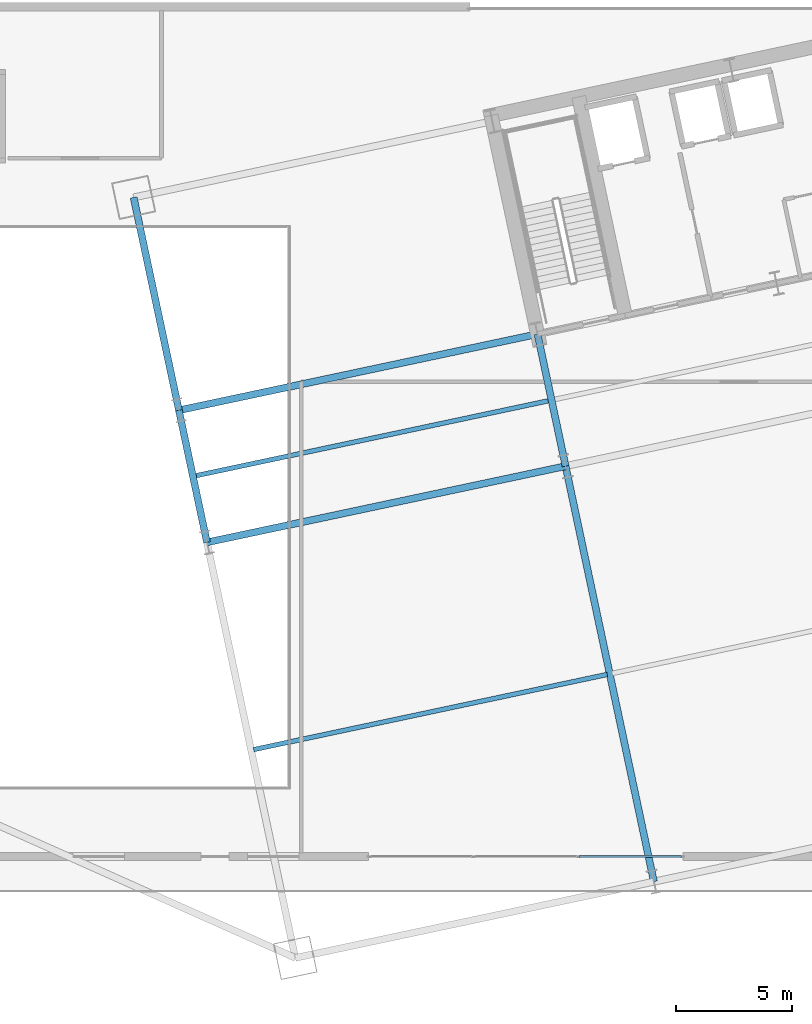
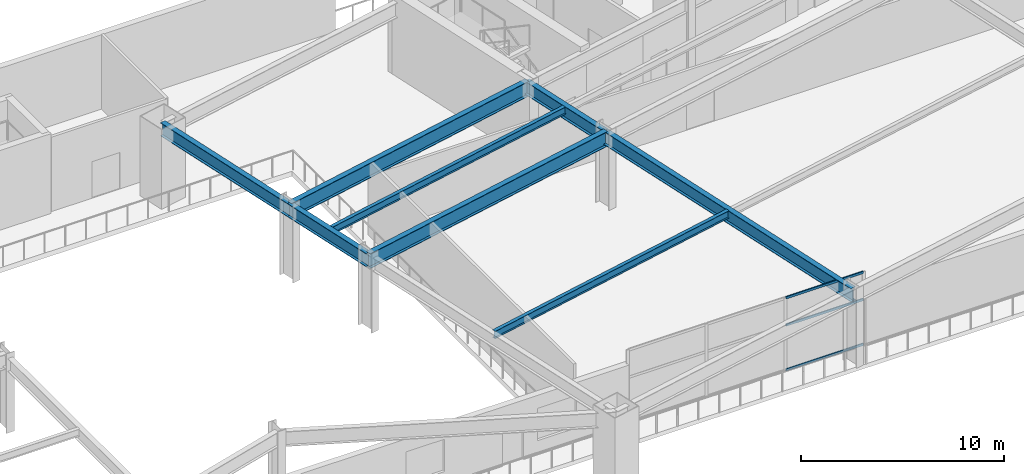
# One storey, part 9 of 28: 8 beams, 3 members, 1 element without a shape of its own.
"""IFC4 building model written with IfcOpenShell, lengths in metres."""

import ifcopenshell
import ifcopenshell.guid

model = None  # the IFC model being written
_history = None  # IfcOwnerHistory: only IFC2X3 demands one
_inside = {}  # id of a spatial element -> (the spatial element, [elements in it])
_under = {}  # id of a project, library or spatial element -> (it, [spatial elements below it])
_declared = {}  # id of a project -> (the project, [libraries it declares])
_typed = {}  # id of a type object -> (the type object, [elements of that type])
_made_of = {}  # id of a material, layer set ... -> (it, [elements and type objects made of it])


def new_model(schema):
    """Start an empty IFC model of exactly this schema.

    Asked for "IFC4X3", IfcOpenShell would pick the latest addendum, in which some entities
    have other attributes; the version numbers below select the first issue.
    IFC2X3 requires an IfcOwnerHistory on every rooted entity: one is made here for all.
    """
    global model, _history
    if schema == "IFC4X3":
        model = ifcopenshell.file(schema_version=(4, 3, 0, 0))
    else:
        model = ifcopenshell.file(schema=schema)
    _inside.clear()
    _under.clear()
    _declared.clear()
    _typed.clear()
    _made_of.clear()
    _history = None
    if model.schema == "IFC2X3":
        org = make("IfcOrganization", Name="unknown")
        user = make(
            "IfcPersonAndOrganization",
            ThePerson=make("IfcPerson", FamilyName="unknown"),
            TheOrganization=org,
        )
        app = make(
            "IfcApplication",
            ApplicationDeveloper=org,
            Version="unknown",
            ApplicationFullName="unknown",
            ApplicationIdentifier="unknown",
        )
        _history = make(
            "IfcOwnerHistory",
            OwningUser=user,
            OwningApplication=app,
            ChangeAction="ADDED",
            CreationDate=0,
        )
    return model


def make(cls, **values):
    """One entity of the class cls with the attributes given. An attribute that is None is left unset."""
    return model.create_entity(
        cls, **{name: value for name, value in values.items() if value is not None}
    )


def rooted(cls, **values):
    """An entity with a GlobalId (a new one), such as an element, a storey or a relation."""
    return make(cls, GlobalId=ifcopenshell.guid.new(), OwnerHistory=_history, **values)


def si_unit(unit_type, name, prefix=None):
    """IfcSIUnit, for example si_unit("LENGTHUNIT", "METRE", prefix="MILLI")."""
    return make("IfcSIUnit", UnitType=unit_type, Prefix=prefix, Name=name)


def assignment(units):
    """IfcUnitAssignment: the units of a project."""
    return None if units is None else make("IfcUnitAssignment", Units=units)


def point(xyz):
    """IfcCartesianPoint."""
    return None if xyz is None else make("IfcCartesianPoint", Coordinates=xyz)


def direction(xyz):
    """IfcDirection."""
    return None if xyz is None else make("IfcDirection", DirectionRatios=xyz)


def frame(location, z_axis=None, x_axis=None):
    """IfcAxis2Placement3D, a coordinate frame: its origin and axes. An axis left out is left unset."""
    return make(
        "IfcAxis2Placement3D",
        Location=point(location),
        Axis=direction(z_axis),
        RefDirection=direction(x_axis),
    )


def frame_2d(location, x_axis=None):
    """IfcAxis2Placement2D, a coordinate frame in the plane: its origin and x axis."""
    return make(
        "IfcAxis2Placement2D", Location=point(location), RefDirection=direction(x_axis)
    )


def origin():
    """The frame at (0, 0, 0) with its axes left unset."""
    return frame((0.0, 0.0, 0.0))


def origin_2d():
    """The frame at (0, 0) in the plane with its x axis left unset."""
    return frame_2d((0.0, 0.0))


def place(relative_to, where):
    """IfcLocalPlacement: puts the frame where relative to a parent placement (None: the world)."""
    return make(
        "IfcLocalPlacement", PlacementRelTo=relative_to, RelativePlacement=where
    )


def context(
    kind, dimensions, precision=None, world=None, true_north=None, identifier=None
):
    """IfcGeometricRepresentationContext, for example the 3D "Model" context."""
    return make(
        "IfcGeometricRepresentationContext",
        ContextIdentifier=identifier,
        ContextType=kind,
        CoordinateSpaceDimension=dimensions,
        Precision=precision,
        WorldCoordinateSystem=world,
        TrueNorth=true_north,
    )


def subcontext(parent, identifier, kind, view, scale=None):
    """IfcGeometricRepresentationSubContext, for example "Body" below "Model"."""
    return make(
        "IfcGeometricRepresentationSubContext",
        ContextIdentifier=identifier,
        ContextType=kind,
        ParentContext=parent,
        TargetScale=scale,
        TargetView=view,
    )


def project(units=None, contexts=None):
    """IfcProject with its units and contexts."""
    return rooted(
        "IfcProject",
        Name="project",
        RepresentationContexts=contexts,
        UnitsInContext=assignment(units),
    )


def spatial(cls, under=None, at=None, **own):
    """A site, building, storey or space (cls), placed at a placement, below another one or the project."""
    s = rooted(cls, ObjectPlacement=at, **own)
    if under is not None:
        _under.setdefault(under.id(), (under, []))[1].append(s)
    return s


def profile(cls, at=None, kind="AREA", **sizes):
    """A parametric profile (cls). Its sizes go by their IFC names, for example OverallWidth=200.0."""
    return make(cls, ProfileType=kind, Position=at, **sizes)


def hollow_rectangle(**sizes):
    """IfcRectangleHollowProfileDef."""
    return profile("IfcRectangleHollowProfileDef", **sizes)


def i_section(**sizes):
    """IfcIShapeProfileDef."""
    return profile("IfcIShapeProfileDef", **sizes)


def extrude(swept, where, along, depth):
    """IfcExtrudedAreaSolid: the profile swept, set in the frame where, extruded along a direction by depth."""
    return make(
        "IfcExtrudedAreaSolid",
        SweptArea=swept,
        Position=where,
        ExtrudedDirection=direction(along),
        Depth=depth,
    )


def shape(context_of_items, identifier, shape_type, items):
    """IfcShapeRepresentation: the items that make up one representation, for example the "Body"."""
    return make(
        "IfcShapeRepresentation",
        ContextOfItems=context_of_items,
        RepresentationIdentifier=identifier,
        RepresentationType=shape_type,
        Items=items,
    )


def material(Name=None, Category=None):
    """IfcMaterial."""
    return make("IfcMaterial", Name=Name, Category=Category)


def layer(
    of_material, thickness, ventilated=None, Name=None, Category=None, Priority=None
):
    """IfcMaterialLayer: one layer of a wall or slab, of a material (None: an air gap)."""
    return make(
        "IfcMaterialLayer",
        Material=of_material,
        LayerThickness=thickness,
        IsVentilated=ventilated,
        Name=Name,
        Category=Category,
        Priority=Priority,
    )


def layer_set(layers, Name=None):
    """IfcMaterialLayerSet."""
    return make("IfcMaterialLayerSet", MaterialLayers=layers, LayerSetName=Name)


def material_profile(
    of_material, cross_section, Name=None, Category=None, Priority=None
):
    """IfcMaterialProfile: a cross section and its material."""
    return make(
        "IfcMaterialProfile",
        Name=Name,
        Material=of_material,
        Profile=cross_section,
        Priority=Priority,
        Category=Category,
    )


def profile_set(profiles, Name=None, composite=None):
    """IfcMaterialProfileSet."""
    return make(
        "IfcMaterialProfileSet",
        Name=Name,
        MaterialProfiles=profiles,
        CompositeProfile=composite,
    )


def made_of(thing, what):
    """Note that an element or type object is made of a material, layer set ...; save() writes the relation."""
    if what is not None:
        _made_of.setdefault(what.id(), (what, []))[1].append(thing)
    return thing


def type_object(cls, material=None, **own):
    """A type object (cls), such as IfcWallType, which elements share."""
    return made_of(rooted(cls, **own), material)


def element(
    cls,
    number,
    at=None,
    inside=None,
    cuts=None,
    type_object=None,
    material=None,
    context=None,
    identifier="Body",
    shape_type=None,
    held_by="IfcProductDefinitionShape",
    body=None,
    shapes=None,
    **own,
):
    """One element of the class cls, such as IfcWall. Its Tag is "e" and its number.

    at: its placement. inside: the storey or other place that contains it. cuts: it is an
    opening in that element (IfcRelVoidsElement). A single representation is given by context,
    identifier, shape_type and body (its items); several are given by shapes. held_by: the class
    of the entity that holds the representations. save() writes the other relations.
    """
    e = rooted(cls, Tag="e%d" % number, ObjectPlacement=at, **own)
    if body is not None:
        shapes = [shape(context, identifier, shape_type, body)]
    if shapes is not None:
        e.Representation = make(held_by, Representations=shapes)
    if inside is not None:
        _inside.setdefault(inside.id(), (inside, []))[1].append(e)
    if cuts is not None:
        rooted(
            "IfcRelVoidsElement", RelatingBuildingElement=cuts, RelatedOpeningElement=e
        )
    if type_object is not None:
        _typed.setdefault(type_object.id(), (type_object, []))[1].append(e)
    return made_of(e, material)


def aggregate(whole, parts):
    """IfcRelAggregates: a whole, such as a stair, and the parts it consists of."""
    return rooted("IfcRelAggregates", RelatingObject=whole, RelatedObjects=parts)


def save(model, path):
    """Write the relations noted so far, then the file.

    IfcRelAggregates (storeys below a building ...), IfcRelContainedInSpatialStructure (elements
    in a storey), IfcRelDefinesByType, IfcRelAssociatesMaterial and IfcRelDeclares: one each for
    every whole, place, type object, material and project.
    """
    for whole, parts in _under.values():
        aggregate(whole, parts)
    for where, things in _inside.values():
        rooted(
            "IfcRelContainedInSpatialStructure",
            RelatedElements=things,
            RelatingStructure=where,
        )
    for kind, things in _typed.values():
        rooted("IfcRelDefinesByType", RelatedObjects=things, RelatingType=kind)
    for what, things in _made_of.values():
        rooted("IfcRelAssociatesMaterial", RelatedObjects=things, RelatingMaterial=what)
    for by, libraries in _declared.values():
        rooted("IfcRelDeclares", RelatingContext=by, RelatedDefinitions=libraries)
    model.write(path)


model = new_model("IFC4")

# Units and contexts
model_context = context("Model", 3, precision=1e-05, world=origin(), true_north=direction((0.0, 1.0)))
body_context = subcontext(model_context, "Body", "Model", "MODEL_VIEW")
ifc_project = project(units=[si_unit("LENGTHUNIT", "METRE"), si_unit("AREAUNIT", "SQUARE_METRE"), si_unit("VOLUMEUNIT", "CUBIC_METRE"), si_unit("PLANEANGLEUNIT", "RADIAN"), si_unit("MASSUNIT", "GRAM", prefix="KILO")], contexts=[model_context])

# Site, building, storey
site_placement = place(None, origin())
site = spatial("IfcSite", under=ifc_project, at=site_placement, CompositionType="ELEMENT")
building_placement = place(site_placement, origin())
building = spatial("IfcBuilding", under=site, at=building_placement, Name="Haevon Station Towers", CompositionType="ELEMENT")
storey_placement = place(building_placement, frame((0.0, 0.0, 10.800048828125)))
storey = spatial("IfcBuildingStorey", under=building, at=storey_placement, Name="L02", CompositionType="ELEMENT", Elevation=10.800048828125)

# Beams
ifc_material_1 = material(Name="Steel S355", Category="steel")
ifc_material_profile_1 = material_profile(ifc_material_1, i_section(OverallWidth=0.199951171875, OverallDepth=0.449951171875, WebThickness=0.009033203125, FlangeThickness=0.013916015625, at=origin_2d()), Name="H-450x200x9x14")
ifc_profile_set_1 = profile_set([ifc_material_profile_1], Name="Steel S355")
beam_type_1 = type_object("IfcBeamType", Name="BM-J450", PredefinedType="JOIST", material=ifc_profile_set_1)
for number, where, z_axis, x_axis, name in (
    (1, (86.55712890625, 19.591796875, 4.27490234375), (0.978145944065, 0.207919484679, 0.0), (-0.207919484679, 0.978145944065, 0.0), "BM-T2J-L02-01-01"),
    (2, (84.05712890625, 31.35400390625, 4.27490234375), (0.978145944065, 0.207919484679, 0.0), (-0.207919484679, 0.978145944065, 0.0), "BM-T2J-L02-02-01"),
):
    element("IfcBeam", number, at=place(storey_placement, frame(where, z_axis=z_axis, x_axis=x_axis)), inside=storey, type_object=beam_type_1, Name=name, PredefinedType="JOIST", context=body_context, shape_type="SweptSolid", body=[
        extrude(i_section(OverallWidth=0.199951171875, OverallDepth=0.449951171875, WebThickness=0.009033203125, FlangeThickness=0.013916015625, at=origin_2d()), origin(), (0.0, 0.0, 1.0), 15.530029296875),
    ])
ifc_material_profile_2 = material_profile(ifc_material_1, i_section(OverallWidth=0.300048828125, OverallDepth=0.800048828125, WebThickness=0.013916015625, FlangeThickness=0.02587890625, at=origin_2d()), Name="H-800x300x14x26")
ifc_profile_set_2 = profile_set([ifc_material_profile_2], Name="Steel S355")
beam_type_2 = type_object("IfcBeamType", Name="BM-PG800", PredefinedType="BEAM", material=ifc_profile_set_2)
beam_1_placement = place(storey_placement, frame((84.552490234375, 28.49462890625, 4.099853515625), z_axis=(-0.207944843707, 0.978140553282, 0.0), x_axis=(-0.978140553282, -0.207944843707, 0.0)))
element("IfcBeam", 3, at=beam_1_placement, inside=storey, type_object=beam_type_2, Name="BM-T2V-L02-01-02", PredefinedType="BEAM", context=body_context, shape_type="SweptSolid", body=[
    extrude(i_section(OverallWidth=0.300048828125, OverallDepth=0.800048828125, WebThickness=0.013916015625, FlangeThickness=0.02587890625, at=origin_2d()), origin(), (0.0, 0.0, 1.0), 5.7998046875),
])
beam_2_placement = place(storey_placement, frame((83.346435546875, 34.167724609375, 4.099853515625), z_axis=(-0.207897167074, 0.978150687738, 0.0), x_axis=(-0.978150687738, -0.207897167074, 0.0)))
element("IfcBeam", 4, at=beam_2_placement, inside=storey, type_object=beam_type_2, Name="BM-T2V-L02-01-03", PredefinedType="BEAM", context=body_context, shape_type="SweptSolid", body=[
    extrude(i_section(OverallWidth=0.300048828125, OverallDepth=0.800048828125, WebThickness=0.013916015625, FlangeThickness=0.02587890625, at=origin_2d()), origin(), (0.0, 0.0, 1.0), 9.35009765625),
])
beam_3_placement = place(storey_placement, frame((103.752685546875, 13.91796875, 4.099853515625), z_axis=(-0.207915393978, 0.978146813595, 0.0), x_axis=(-0.978146813595, -0.207915393978, 0.0)))
element("IfcBeam", 5, at=beam_3_placement, inside=storey, type_object=beam_type_2, Name="BM-T2V-L02-02-01", PredefinedType="BEAM", context=body_context, shape_type="SweptSolid", body=[
    extrude(i_section(OverallWidth=0.300048828125, OverallDepth=0.800048828125, WebThickness=0.013916015625, FlangeThickness=0.02587890625, at=origin_2d()), origin(), (0.0, 0.0, 1.0), 18.25),
])
beam_4_placement = place(storey_placement, frame((99.958251953125, 31.76904296875, 4.099853515625), z_axis=(-0.207896009217, 0.97815093383, 0.0), x_axis=(-0.97815093383, -0.207896009217, 0.0)))
element("IfcBeam", 6, at=beam_4_placement, inside=storey, type_object=beam_type_2, Name="BM-T2V-L02-02-02", PredefinedType="BEAM", context=body_context, shape_type="SweptSolid", body=[
    extrude(i_section(OverallWidth=0.300048828125, OverallDepth=0.800048828125, WebThickness=0.013916015625, FlangeThickness=0.02587890625, at=origin_2d()), origin(), (0.0, 0.0, 1.0), 5.800048828125),
])
ifc_material_profile_3 = material_profile(ifc_material_1, i_section(OverallWidth=0.300048828125, OverallDepth=0.89990234375, WebThickness=0.01611328125, FlangeThickness=0.028076171875, at=origin_2d()), Name="H-900x300x16x28")
ifc_profile_set_3 = profile_set([ifc_material_profile_3], Name="Steel S355")
beam_type_3 = type_object("IfcBeamType", Name="BM-PG900", PredefinedType="BEAM", material=ifc_profile_set_3)
beam_5_placement = place(storey_placement, frame((84.552490234375, 28.49462890625, 4.050048828125), z_axis=(0.978149946567, 0.207900654232, 0.0), x_axis=(-0.207900654232, 0.978149946567, 0.0)))
element("IfcBeam", 7, at=beam_5_placement, inside=storey, type_object=beam_type_3, Name="BM-T2U-L02-02-01", PredefinedType="BEAM", context=body_context, shape_type="SweptSolid", body=[
    extrude(i_section(OverallWidth=0.300048828125, OverallDepth=0.89990234375, WebThickness=0.01611328125, FlangeThickness=0.028076171875, at=origin_2d()), origin(), (0.0, 0.0, 1.0), 15.75),
])
beam_6_placement = place(storey_placement, frame((83.346435546875, 34.167724609375, 4.050048828125), z_axis=(0.978147464271, 0.207912332825, 0.0), x_axis=(-0.207912332825, 0.978147464271, 0.0)))
element("IfcBeam", 8, at=beam_6_placement, inside=storey, type_object=beam_type_3, Name="BM-T2U-L02-03-01", PredefinedType="BEAM", context=body_context, shape_type="SweptSolid", body=[
    extrude(i_section(OverallWidth=0.300048828125, OverallDepth=0.89990234375, WebThickness=0.01611328125, FlangeThickness=0.028076171875, at=origin_2d()), origin(), (0.0, 0.0, 1.0), 15.750244140625),
])

# Curtain wall, members
ifc_material_2 = material(Name="Anodised aluminium and Low-E double glazing", Category="aluminium")
ifc_layer = layer(ifc_material_2, 0.179931640625)
ifc_layer_set = layer_set([ifc_layer], Name="Anodised aluminium and Low-E double glazing")
curtain_wall_type = type_object("IfcCurtainWallType", Name="CW-SYS1", PredefinedType="NOTDEFINED", material=ifc_layer_set)
curtain_wall_placement = place(storey_placement, origin())
curtain_wall = element("IfcCurtainWall", 9, at=curtain_wall_placement, inside=storey, type_object=curtain_wall_type, Name="L02 Curtain Wall CW-POD-L02-S1", PredefinedType="NOTDEFINED")
ifc_material_3 = material(Name="Anodised aluminium 6063-T6", Category="aluminium")
ifc_material_profile_4 = material_profile(ifc_material_3, hollow_rectangle(XDim=0.06494140625, YDim=0.139892578125, WallThickness=0.00341796875, at=origin_2d()), Name="CWT-140x65x3.5")
ifc_profile_set_4 = profile_set([ifc_material_profile_4], Name="Anodised aluminium 6063-T6")
member_type = type_object("IfcMemberType", Name="CWT-140", PredefinedType="USERDEFINED", material=ifc_profile_set_4)
member_1_placement = place(storey_placement, frame((104.93505859375, 15.0, 0.032470703125), z_axis=(-1.0, 0.0, 0.0), x_axis=(0.0, -1.0, 0.0)))
member_1 = element("IfcMember", 10, at=member_1_placement, type_object=member_type, Name="CW-SYS1 transom 1.1", ObjectType="TRANSOM", PredefinedType="USERDEFINED", context=body_context, shape_type="SweptSolid", body=[
    extrude(hollow_rectangle(XDim=0.06494140625, YDim=0.139892578125, WallThickness=0.00341796875, at=origin_2d()), origin(), (0.0, 0.0, 1.0), 4.402587890625),
])
member_2_placement = place(storey_placement, frame((104.93505859375, 15.0, 2.72802734375), z_axis=(-1.0, 0.0, 0.0), x_axis=(0.0, -1.0, 0.0)))
member_2 = element("IfcMember", 11, at=member_2_placement, type_object=member_type, Name="CW-SYS1 transom 1.2", ObjectType="TRANSOM", PredefinedType="USERDEFINED", context=body_context, shape_type="SweptSolid", body=[
    extrude(hollow_rectangle(XDim=0.06494140625, YDim=0.139892578125, WallThickness=0.00341796875, at=origin_2d()), origin(), (0.0, 0.0, 1.0), 4.402587890625),
])
member_3_placement = place(storey_placement, frame((104.93505859375, 15.0, 4.367431640625), z_axis=(-1.0, 0.0, 0.0), x_axis=(0.0, -1.0, 0.0)))
member_3 = element("IfcMember", 12, at=member_3_placement, type_object=member_type, Name="CW-SYS1 transom 1.3", ObjectType="TRANSOM", PredefinedType="USERDEFINED", context=body_context, shape_type="SweptSolid", body=[
    extrude(hollow_rectangle(XDim=0.06494140625, YDim=0.139892578125, WallThickness=0.00341796875, at=origin_2d()), origin(), (0.0, 0.0, 1.0), 4.402587890625),
])
aggregate(curtain_wall, [member_1, member_2, member_3])

save(model, "model.ifc")
